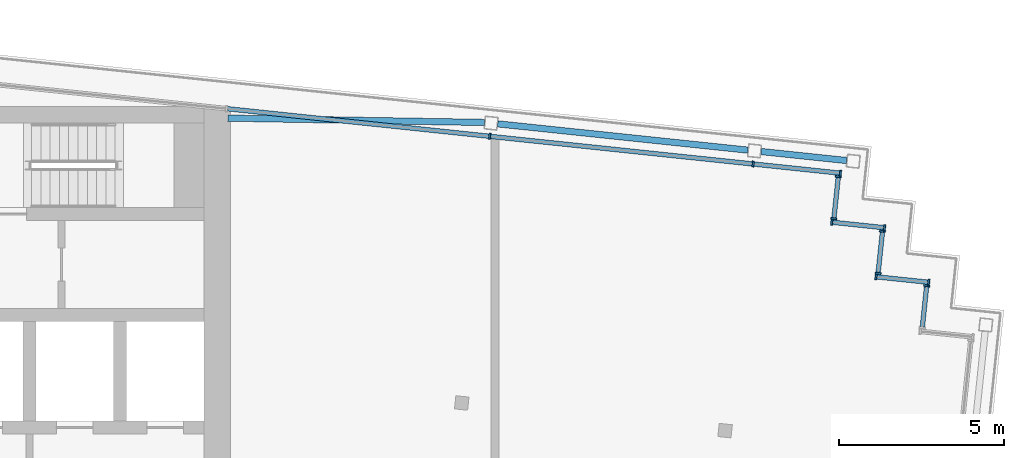
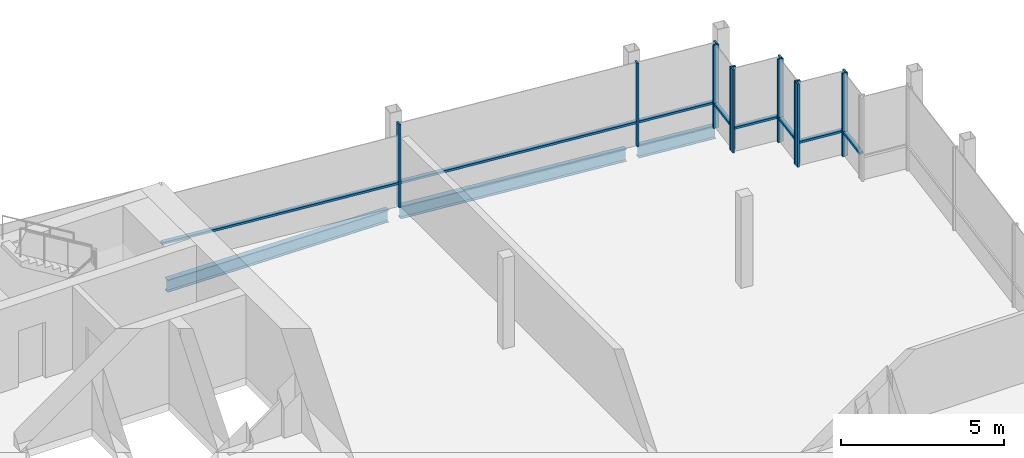
# One storey, part 8 of 15: 20 members, 3 beams, 6 elements without a shape of their own.
"""IFC4 building model written with IfcOpenShell, lengths in metres."""

from ifc_helpers import new_model, si_unit, direction, frame, origin, origin_2d, place, context, subcontext, project, spatial, rectangle, i_section, extrude, material, material_profile, profile_set, type_object, element, aggregate, save


model = new_model("IFC4")

# Units and contexts
model_context = context("Model", 3, precision=1e-05, world=origin(), true_north=direction((0.0, 1.0)))
body_context = subcontext(model_context, "Body", "Model", "MODEL_VIEW")
ifc_project = project(units=[si_unit("LENGTHUNIT", "METRE"), si_unit("AREAUNIT", "SQUARE_METRE"), si_unit("VOLUMEUNIT", "CUBIC_METRE"), si_unit("PLANEANGLEUNIT", "RADIAN"), si_unit("MASSUNIT", "GRAM", prefix="KILO")], contexts=[model_context])

# Site, building, storey
site_placement = place(None, origin())
site = spatial("IfcSite", under=ifc_project, at=site_placement, CompositionType="ELEMENT")
building_placement = place(site_placement, origin())
building = spatial("IfcBuilding", under=site, at=building_placement, Name="Vidyagriha Tower", CompositionType="ELEMENT")
storey_placement = place(building_placement, frame((0.0, 0.0, 294.89990234375)))
storey = spatial("IfcBuildingStorey", under=building, at=storey_placement, Name="L76", CompositionType="ELEMENT", Elevation=294.89990234375)

# Beams
ifc_material_1 = material(Name="Steel ASTM A992 Grade 50", Category="steel")
ifc_material_profile_1 = material_profile(ifc_material_1, i_section(OverallWidth=0.19189453125, OverallDepth=0.46240234375, WebThickness=0.010498046875, FlangeThickness=0.017578125, at=origin_2d()), Name="W18X60")
ifc_profile_set_1 = profile_set([ifc_material_profile_1], Name="Steel ASTM A992 Grade 50")
beam_type = type_object("IfcBeamType", Name="Edge beam W18X60", PredefinedType="SPANDREL", material=ifc_profile_set_1)
beam_1_placement = place(storey_placement, frame((18.080810546875, 19.4775390625, -0.510986328125), z_axis=(0.994521985944, -0.104527601494, 0.0), x_axis=(0.104527601494, 0.994521985944, 0.0)))
element("IfcBeam", 1, at=beam_1_placement, inside=storey, type_object=beam_type, Name="st-beam-L76-NE19", PredefinedType="SPANDREL", context=body_context, shape_type="SweptSolid", body=[
    extrude(i_section(OverallWidth=0.19189453125, OverallDepth=0.46240234375, WebThickness=0.010498046875, FlangeThickness=0.017578125, at=origin_2d()), origin(), (0.0, 0.0, 1.0), 7.600341796875),
])
beam_2_placement = place(storey_placement, frame((26.037109375, 18.641357421875, -0.510986328125), z_axis=(0.99451368233, -0.104606575594, 0.0), x_axis=(0.104606575594, 0.99451368233, 0.0)))
element("IfcBeam", 2, at=beam_2_placement, inside=storey, type_object=beam_type, Name="st-beam-L76-NE20", PredefinedType="SPANDREL", context=body_context, shape_type="SweptSolid", body=[
    extrude(i_section(OverallWidth=0.19189453125, OverallDepth=0.46240234375, WebThickness=0.010498046875, FlangeThickness=0.017578125, at=origin_2d()), origin(), (0.0, 0.0, 1.0), 2.599853515625),
])
beam_3_placement = place(storey_placement, frame((9.92578125, 19.64990234375, -0.510986328125), z_axis=(0.999858276636, -0.016835279726, 0.0), x_axis=(0.016835279726, 0.999858276636, 0.0)))
element("IfcBeam", 3, at=beam_3_placement, inside=storey, type_object=beam_type, Name="st-beam-L76-NC22", PredefinedType="SPANDREL", context=body_context, shape_type="SweptSolid", body=[
    extrude(i_section(OverallWidth=0.19189453125, OverallDepth=0.46240234375, WebThickness=0.010498046875, FlangeThickness=0.017578125, at=origin_2d()), origin(), (0.0, 0.0, 1.0), 7.758544921875),
])

# Curtain wall, member
ifc_material_2 = material(Name="Aluminium and glass curtain wall", Category="aluminium")
curtain_wall_type = type_object("IfcCurtainWallType", Name="Lantern glazing wall", PredefinedType="USERDEFINED", material=ifc_material_2)
curtain_wall_1_placement = place(storey_placement, origin())
curtain_wall_1 = element("IfcCurtainWall", 4, at=curtain_wall_1_placement, inside=storey, type_object=curtain_wall_type, Name="CW4 lantern glazing", ObjectType="STICK GLAZING", PredefinedType="USERDEFINED")
ifc_material_3 = material(Name="Aluminium black anodised", Category="aluminium")
ifc_material_profile_2 = material_profile(ifc_material_3, rectangle(XDim=0.179931640625, YDim=0.06005859375, at=origin_2d()), Name="Mullion 60x180 black aluminium")
ifc_profile_set_2 = profile_set([ifc_material_profile_2], Name="Aluminium black anodised")
member_type_1 = type_object("IfcMemberType", Name="Mullion 60x180 black aluminium", PredefinedType="MULLION", material=ifc_profile_set_2)
member_1_placement = place(storey_placement, frame((31.040771484375, 14.5859375, 0.0), z_axis=(0.0, 0.0, 1.0), x_axis=(-0.994527511623, 0.104475014354, 0.0)))
member_1 = element("IfcMember", 5, at=member_1_placement, type_object=member_type_1, Name="CW4 mullion 2", PredefinedType="MULLION", context=body_context, shape_type="SweptSolid", body=[
    extrude(rectangle(XDim=0.179931640625, YDim=0.06005859375, at=origin_2d()), origin(), (0.0, 0.0, 1.0), 3.1201171875),
])

# Curtain wall, members
curtain_wall_2_placement = place(storey_placement, origin())
curtain_wall_2 = element("IfcCurtainWall", 6, at=curtain_wall_2_placement, inside=storey, type_object=curtain_wall_type, Name="CW4 lantern glazing", ObjectType="STICK GLAZING", PredefinedType="USERDEFINED")
member_2_placement = place(storey_placement, frame((31.101806640625, 14.690185546875, 0.0), z_axis=(0.0, 0.0, 1.0), x_axis=(-0.104518583201, -0.994522933756, 0.0)))
member_2 = element("IfcMember", 7, at=member_2_placement, type_object=member_type_1, Name="CW4 mullion 1", PredefinedType="MULLION", context=body_context, shape_type="SweptSolid", body=[
    extrude(rectangle(XDim=0.179931640625, YDim=0.06005859375, at=origin_2d()), origin(), (0.0, 0.0, 1.0), 3.1201171875),
])
member_3_placement = place(storey_placement, frame((29.5107421875, 14.857421875, 0.0), z_axis=(0.0, 0.0, 1.0), x_axis=(-0.104518583201, -0.994522933756, 0.0)))
member_3 = element("IfcMember", 8, at=member_3_placement, type_object=member_type_1, Name="CW4 mullion 2", PredefinedType="MULLION", context=body_context, shape_type="SweptSolid", body=[
    extrude(rectangle(XDim=0.179931640625, YDim=0.06005859375, at=origin_2d()), origin(), (0.0, 0.0, 1.0), 3.1201171875),
])

curtain_wall_3_placement = place(storey_placement, origin())
curtain_wall_3 = element("IfcCurtainWall", 9, at=curtain_wall_3_placement, inside=storey, type_object=curtain_wall_type, Name="CW4 lantern glazing", ObjectType="STICK GLAZING", PredefinedType="USERDEFINED")
member_4_placement = place(storey_placement, frame((29.57177734375, 14.961669921875, 0.0), z_axis=(0.0, 0.0, 1.0), x_axis=(-0.994518939392, 0.104556583677, 0.0)))
member_4 = element("IfcMember", 10, at=member_4_placement, type_object=member_type_1, Name="CW4 mullion 1", PredefinedType="MULLION", context=body_context, shape_type="SweptSolid", body=[
    extrude(rectangle(XDim=0.179931640625, YDim=0.06005859375, at=origin_2d()), origin(), (0.0, 0.0, 1.0), 3.1201171875),
])
member_5_placement = place(storey_placement, frame((29.70556640625, 16.234619140625, 0.0), z_axis=(0.0, 0.0, 1.0), x_axis=(-0.994518939392, 0.104556583677, 0.0)))
member_5 = element("IfcMember", 11, at=member_5_placement, type_object=member_type_1, Name="CW4 mullion 2", PredefinedType="MULLION", context=body_context, shape_type="SweptSolid", body=[
    extrude(rectangle(XDim=0.179931640625, YDim=0.06005859375, at=origin_2d()), origin(), (0.0, 0.0, 1.0), 3.1201171875),
])

curtain_wall_4_placement = place(storey_placement, origin())
curtain_wall_4 = element("IfcCurtainWall", 12, at=curtain_wall_4_placement, inside=storey, type_object=curtain_wall_type, Name="CW4 lantern glazing", ObjectType="STICK GLAZING", PredefinedType="USERDEFINED")
member_6_placement = place(storey_placement, frame((29.766845703125, 16.338623046875, 0.0), z_axis=(0.0, 0.0, 1.0), x_axis=(-0.104518583201, -0.994522933756, 0.0)))
member_6 = element("IfcMember", 13, at=member_6_placement, type_object=member_type_1, Name="CW4 mullion 1", PredefinedType="MULLION", context=body_context, shape_type="SweptSolid", body=[
    extrude(rectangle(XDim=0.179931640625, YDim=0.06005859375, at=origin_2d()), origin(), (0.0, 0.0, 1.0), 3.1201171875),
])
member_7_placement = place(storey_placement, frame((28.175537109375, 16.505859375, 0.0), z_axis=(0.0, 0.0, 1.0), x_axis=(-0.104518583201, -0.994522933756, 0.0)))
member_7 = element("IfcMember", 14, at=member_7_placement, type_object=member_type_1, Name="CW4 mullion 2", PredefinedType="MULLION", context=body_context, shape_type="SweptSolid", body=[
    extrude(rectangle(XDim=0.179931640625, YDim=0.06005859375, at=origin_2d()), origin(), (0.0, 0.0, 1.0), 3.1201171875),
])

curtain_wall_5_placement = place(storey_placement, origin())
curtain_wall_5 = element("IfcCurtainWall", 15, at=curtain_wall_5_placement, inside=storey, type_object=curtain_wall_type, Name="CW4 lantern glazing", ObjectType="STICK GLAZING", PredefinedType="USERDEFINED")
member_8_placement = place(storey_placement, frame((28.23681640625, 16.6103515625, 0.0), z_axis=(0.0, 0.0, 1.0), x_axis=(-0.994518939392, 0.104556583677, 0.0)))
member_8 = element("IfcMember", 16, at=member_8_placement, type_object=member_type_1, Name="CW4 mullion 1", PredefinedType="MULLION", context=body_context, shape_type="SweptSolid", body=[
    extrude(rectangle(XDim=0.179931640625, YDim=0.06005859375, at=origin_2d()), origin(), (0.0, 0.0, 1.0), 3.1201171875),
])
member_9_placement = place(storey_placement, frame((28.37060546875, 17.883056640625, 0.0), z_axis=(0.0, 0.0, 1.0), x_axis=(-0.994518939392, 0.104556583677, 0.0)))
member_9 = element("IfcMember", 17, at=member_9_placement, type_object=member_type_1, Name="CW4 mullion 2", PredefinedType="MULLION", context=body_context, shape_type="SweptSolid", body=[
    extrude(rectangle(XDim=0.179931640625, YDim=0.06005859375, at=origin_2d()), origin(), (0.0, 0.0, 1.0), 3.1201171875),
])

curtain_wall_6_placement = place(storey_placement, origin())
curtain_wall_6 = element("IfcCurtainWall", 18, at=curtain_wall_6_placement, inside=storey, type_object=curtain_wall_type, Name="CW4 lantern glazing", ObjectType="STICK GLAZING", PredefinedType="USERDEFINED")
member_10_placement = place(storey_placement, frame((28.431884765625, 17.9873046875, 0.0), z_axis=(0.0, 0.0, 1.0), x_axis=(-0.104528022383, -0.994521941707, 0.0)))
member_10 = element("IfcMember", 19, at=member_10_placement, type_object=member_type_1, Name="CW4 mullion 1", PredefinedType="MULLION", context=body_context, shape_type="SweptSolid", body=[
    extrude(rectangle(XDim=0.179931640625, YDim=0.06005859375, at=origin_2d()), origin(), (0.0, 0.0, 1.0), 3.1201171875),
])
member_11_placement = place(storey_placement, frame((25.79638671875, 18.264404296875, 0.0), z_axis=(0.0, 0.0, 1.0), x_axis=(-0.104528022383, -0.994521941707, 0.0)))
member_11 = element("IfcMember", 20, at=member_11_placement, type_object=member_type_1, Name="CW4 mullion 2", PredefinedType="MULLION", context=body_context, shape_type="SweptSolid", body=[
    extrude(rectangle(XDim=0.179931640625, YDim=0.06005859375, at=origin_2d()), origin(), (0.0, 0.0, 1.0), 3.1201171875),
])
member_12_placement = place(storey_placement, frame((17.840087890625, 19.1005859375, 0.0), z_axis=(0.0, 0.0, 1.0), x_axis=(-0.104528022383, -0.994521941707, 0.0)))
member_12 = element("IfcMember", 21, at=member_12_placement, type_object=member_type_1, Name="CW4 mullion 3", PredefinedType="MULLION", context=body_context, shape_type="SweptSolid", body=[
    extrude(rectangle(XDim=0.179931640625, YDim=0.06005859375, at=origin_2d()), origin(), (0.0, 0.0, 1.0), 3.1201171875),
])

# Member
ifc_material_4 = material(Name="Aluminium black anodised", Category="aluminium")
ifc_material_profile_3 = material_profile(ifc_material_4, rectangle(XDim=0.139892578125, YDim=0.080078125, at=origin_2d()), Name="Transom 80x140 black aluminium")
ifc_profile_set_3 = profile_set([ifc_material_profile_3], Name="Aluminium black anodised")
member_type_2 = type_object("IfcMemberType", Name="Transom 80x140 black aluminium", PredefinedType="USERDEFINED", material=ifc_profile_set_3)
member_13_placement = place(storey_placement, frame((30.91015625, 13.3427734375, 0.900146484375), z_axis=(0.104455618622, 0.994529548952, 0.0), x_axis=(-0.994529548952, 0.104455618622, 0.0)))
member_13 = element("IfcMember", 22, at=member_13_placement, type_object=member_type_2, Name="CW4 transom 1.1", ObjectType="TRANSOM", PredefinedType="USERDEFINED", context=body_context, shape_type="SweptSolid", body=[
    extrude(rectangle(XDim=0.139892578125, YDim=0.080078125, at=origin_2d()), origin(), (0.0, 0.0, 1.0), 1.219970703125),
])

aggregate(curtain_wall_1, [member_1, member_13])

member_14_placement = place(storey_placement, frame((31.072021484375, 14.693359375, 0.900146484375), z_axis=(-0.994527149453, 0.104478461899, 0.0), x_axis=(-0.104478461899, -0.994527149453, 0.0)))
member_14 = element("IfcMember", 23, at=member_14_placement, type_object=member_type_2, Name="CW4 transom 1.1", ObjectType="TRANSOM", PredefinedType="USERDEFINED", context=body_context, shape_type="SweptSolid", body=[
    extrude(rectangle(XDim=0.139892578125, YDim=0.080078125, at=origin_2d()), origin(), (0.0, 0.0, 1.0), 1.5400390625),
])

aggregate(curtain_wall_2, [member_2, member_3, member_14])

member_15_placement = place(storey_placement, frame((29.574951171875, 14.991455078125, 0.900146484375), z_axis=(0.104653535604, 0.994508741784, 0.0), x_axis=(-0.994508741784, 0.104653535604, 0.0)))
member_15 = element("IfcMember", 24, at=member_15_placement, type_object=member_type_2, Name="CW4 transom 1.1", ObjectType="TRANSOM", PredefinedType="USERDEFINED", context=body_context, shape_type="SweptSolid", body=[
    extrude(rectangle(XDim=0.139892578125, YDim=0.080078125, at=origin_2d()), origin(), (0.0, 0.0, 1.0), 1.219970703125),
])

aggregate(curtain_wall_3, [member_4, member_5, member_15])

member_16_placement = place(storey_placement, frame((29.737060546875, 16.341796875, 0.900146484375), z_axis=(-0.994510663906, 0.104635268321, 0.0), x_axis=(-0.104635268321, -0.994510663906, 0.0)))
member_16 = element("IfcMember", 25, at=member_16_placement, type_object=member_type_2, Name="CW4 transom 1.1", ObjectType="TRANSOM", PredefinedType="USERDEFINED", context=body_context, shape_type="SweptSolid", body=[
    extrude(rectangle(XDim=0.139892578125, YDim=0.080078125, at=origin_2d()), origin(), (0.0, 0.0, 1.0), 1.5400390625),
])

aggregate(curtain_wall_4, [member_6, member_7, member_16])

member_17_placement = place(storey_placement, frame((28.239990234375, 16.64013671875, 0.900146484375), z_axis=(0.104476410646, 0.994527364942, 0.0), x_axis=(-0.994527364942, 0.104476410646, 0.0)))
member_17 = element("IfcMember", 26, at=member_17_placement, type_object=member_type_2, Name="CW4 transom 1.1", ObjectType="TRANSOM", PredefinedType="USERDEFINED", context=body_context, shape_type="SweptSolid", body=[
    extrude(rectangle(XDim=0.139892578125, YDim=0.080078125, at=origin_2d()), origin(), (0.0, 0.0, 1.0), 1.2197265625),
])

aggregate(curtain_wall_5, [member_8, member_9, member_17])

member_18_placement = place(storey_placement, frame((28.402099609375, 17.990478515625, 0.900146484375), z_axis=(-0.994521452323, 0.104532678478, 0.0), x_axis=(-0.104532678478, -0.994521452323, 0.0)))
member_18 = element("IfcMember", 27, at=member_18_placement, type_object=member_type_2, Name="CW4 transom 1.1", ObjectType="TRANSOM", PredefinedType="USERDEFINED", context=body_context, shape_type="SweptSolid", body=[
    extrude(rectangle(XDim=0.139892578125, YDim=0.080078125, at=origin_2d()), origin(), (0.0, 0.0, 1.0), 2.590087890625),
])

member_19_placement = place(storey_placement, frame((25.7666015625, 18.267578125, 0.900146484375), z_axis=(-0.994523465953, 0.104513519069, 0.0), x_axis=(-0.104513519069, -0.994523465953, 0.0)))
member_19 = element("IfcMember", 28, at=member_19_placement, type_object=member_type_2, Name="CW4 transom 2.1", ObjectType="TRANSOM", PredefinedType="USERDEFINED", context=body_context, shape_type="SweptSolid", body=[
    extrude(rectangle(XDim=0.139892578125, YDim=0.080078125, at=origin_2d()), origin(), (0.0, 0.0, 1.0), 7.93994140625),
])

member_20_placement = place(storey_placement, frame((17.810302734375, 19.103759765625, 0.900146484375), z_axis=(-0.994523465953, 0.104513519069, 0.0), x_axis=(-0.104513519069, -0.994523465953, 0.0)))
member_20 = element("IfcMember", 29, at=member_20_placement, type_object=member_type_2, Name="CW4 transom 3.1", ObjectType="TRANSOM", PredefinedType="USERDEFINED", context=body_context, shape_type="SweptSolid", body=[
    extrude(rectangle(XDim=0.139892578125, YDim=0.080078125, at=origin_2d()), origin(), (0.0, 0.0, 1.0), 7.93994140625),
])

aggregate(curtain_wall_6, [member_10, member_11, member_12, member_18, member_19, member_20])

save(model, "model.ifc")
